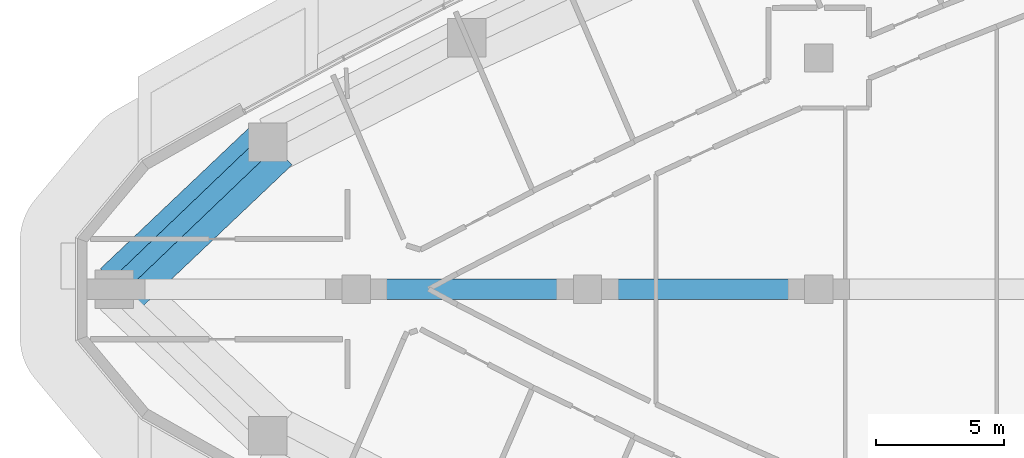
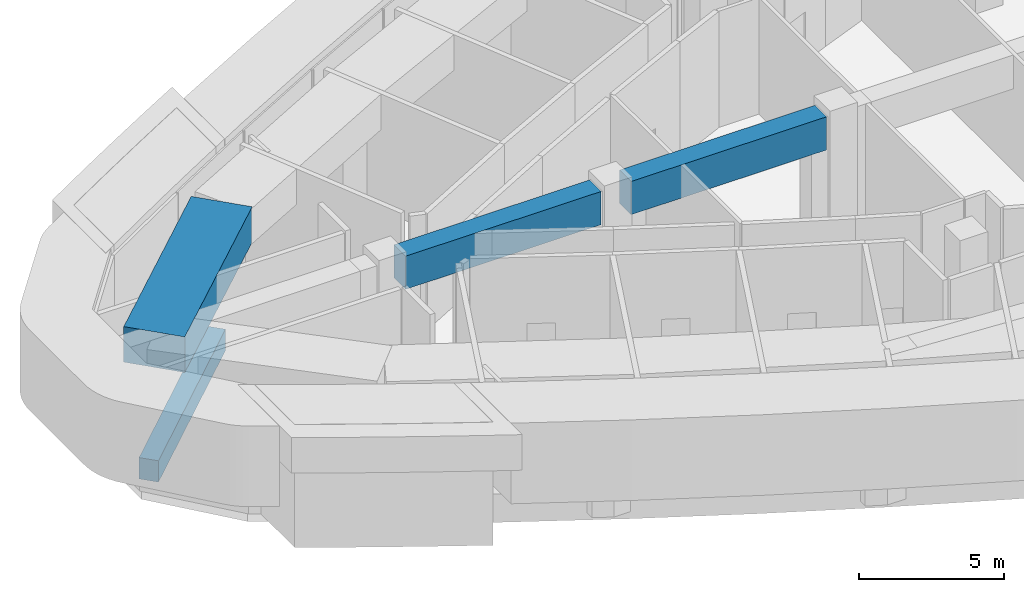
# One storey, part 3 of 18: 4 beams.
"""IFC4 building model written with IfcOpenShell, lengths in metres."""

from ifc_helpers import new_model, si_unit, direction, frame, origin, origin_2d, place, context, subcontext, project, spatial, rectangle, extrude, material, material_profile, profile_set, type_object, element, save


model = new_model("IFC4")

# Units and contexts
model_context = context("Model", 3, precision=1e-05, world=origin(), true_north=direction((0.0, 1.0)))
body_context = subcontext(model_context, "Body", "Model", "MODEL_VIEW")
ifc_project = project(units=[si_unit("LENGTHUNIT", "METRE"), si_unit("AREAUNIT", "SQUARE_METRE"), si_unit("VOLUMEUNIT", "CUBIC_METRE"), si_unit("PLANEANGLEUNIT", "RADIAN"), si_unit("MASSUNIT", "GRAM", prefix="KILO")], contexts=[model_context])

# Site, building, storey
site_placement = place(None, origin())
site = spatial("IfcSite", under=ifc_project, at=site_placement, CompositionType="ELEMENT")
building_placement = place(site_placement, origin())
building = spatial("IfcBuilding", under=site, at=building_placement, Name="Ostrand Prow Hotel Tower", CompositionType="ELEMENT")
storey_placement = place(building_placement, frame((0.0, 0.0, 165.699951171875)))
storey = spatial("IfcBuildingStorey", under=building, at=storey_placement, Name="L41", CompositionType="ELEMENT", Elevation=165.699951171875)

# Beams
ifc_material_1 = material(Name="Concrete C70/85", Category="concrete")
ifc_material_profile_1 = material_profile(ifc_material_1, rectangle(XDim=2.199951171875, YDim=1.5, at=origin_2d()), Name="RC 2200x1500")
ifc_profile_set_1 = profile_set([ifc_material_profile_1], Name="Concrete C70/85")
beam_type_1 = type_object("IfcBeamType", Name="Belt girder 2200x1500 C70/85", PredefinedType="BEAM", material=ifc_profile_set_1)
beam_1_placement = place(storey_placement, frame((12.740966796875, 5.632080078125, 4.150146484375), z_axis=(-0.725803004047, -0.687902608889, 0.0), x_axis=(0.687902608889, -0.725803004047, 0.0)))
element("IfcBeam", 1, at=beam_1_placement, inside=storey, type_object=beam_type_1, Name="Belt girder N6-P", PredefinedType="BEAM", context=body_context, shape_type="SweptSolid", body=[
    extrude(rectangle(XDim=2.199951171875, YDim=1.5, at=origin_2d()), origin(), (0.0, 0.0, 1.0), 8.187255859375),
])
ifc_material_2 = material(Name="Concrete C70/85", Category="concrete")
ifc_material_profile_2 = material_profile(ifc_material_2, rectangle(XDim=0.699951171875, YDim=0.89990234375, at=origin_2d()), Name="RC 700x900")
ifc_profile_set_2 = profile_set([ifc_material_profile_2], Name="Concrete C70/85")
beam_type_2 = type_object("IfcBeamType", Name="Edge beam 700x900 C70/85", PredefinedType="SPANDREL", material=ifc_profile_set_2)
beam_2_placement = place(storey_placement, frame((12.55322265625, 5.712646484375, -0.849853515625), z_axis=(-0.722689968521, -0.691172344209, 0.0), x_axis=(0.691172344209, -0.722689968521, 0.0)))
element("IfcBeam", 2, at=beam_2_placement, inside=storey, type_object=beam_type_2, Name="Edge beam N6-P", PredefinedType="SPANDREL", context=body_context, shape_type="SweptSolid", body=[
    extrude(rectangle(XDim=0.699951171875, YDim=0.89990234375, at=origin_2d()), origin(), (0.0, 0.0, 1.0), 8.26513671875),
])
ifc_material_3 = material(Name="Concrete C70/85", Category="concrete")
ifc_material_profile_3 = material_profile(ifc_material_3, rectangle(XDim=0.800048828125, YDim=1.39990234375, at=origin_2d()), Name="RC 800x1400")
ifc_profile_set_3 = profile_set([ifc_material_profile_3], Name="Concrete C70/85")
beam_type_3 = type_object("IfcBeamType", Name="Outrigger lintel 800x1400 C70/85", PredefinedType="LINTEL", material=ifc_profile_set_3)
for number, where, z_axis, x_axis, name in (
    (3, (16.60009765625, 0.0, 4.199951171875), (1.0, 0.0, 0.0), (0.0, 1.0, 0.0), "Outrigger lintel A2"),
    (4, (25.60009765625, 0.0, 4.199951171875), (1.0, 0.0, 0.0), (0.0, 1.0, 0.0), "Outrigger lintel A3"),
):
    element("IfcBeam", number, at=place(storey_placement, frame(where, z_axis=z_axis, x_axis=x_axis)), inside=storey, type_object=beam_type_3, Name=name, PredefinedType="LINTEL", context=body_context, shape_type="SweptSolid", body=[
        extrude(rectangle(XDim=0.800048828125, YDim=1.39990234375, at=origin_2d()), origin(), (0.0, 0.0, 1.0), 7.7998046875),
    ])

save(model, "model.ifc")
